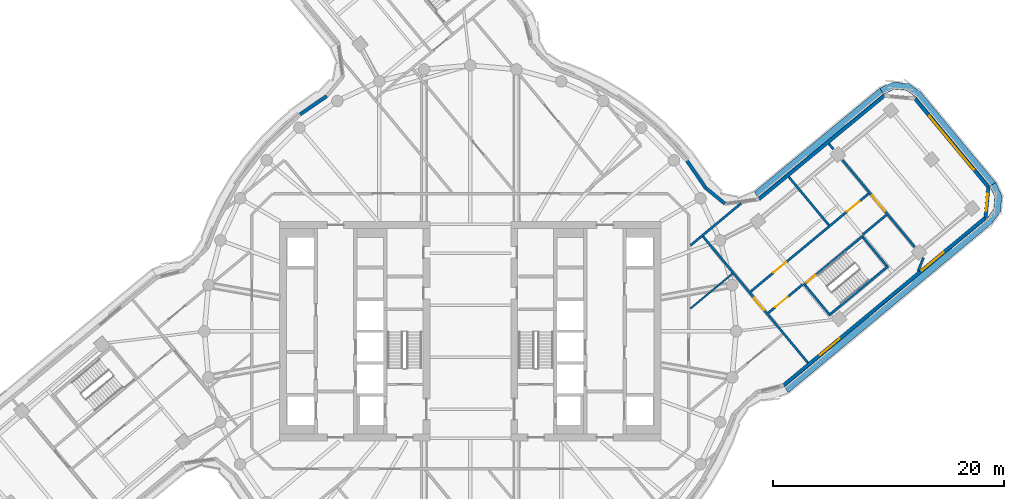
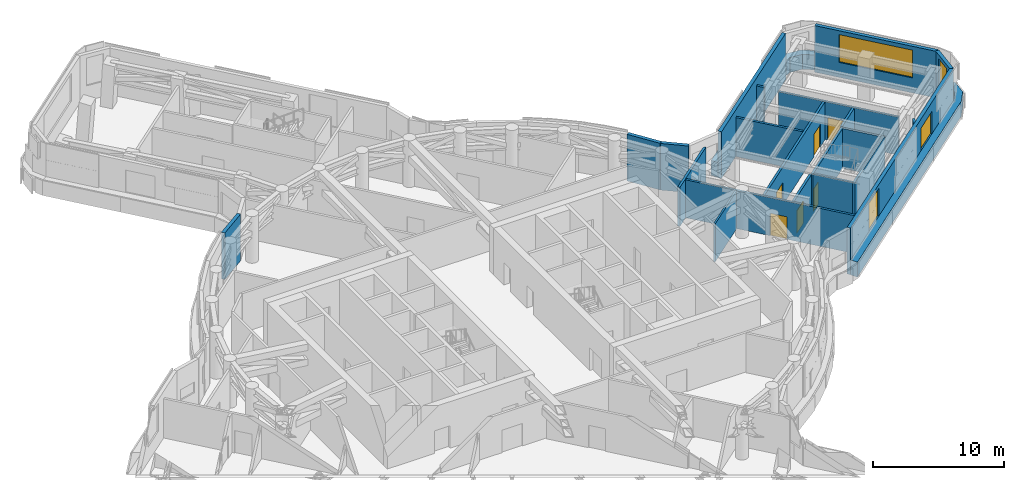
# One storey, part 12 of 22: 21 walls, 6 doors, 4 windows, 3 members, 10 openings.
"""IFC4 building model written with IfcOpenShell, lengths in metres."""

from ifc_helpers import new_model, si_unit, direction, frame, frame_2d, origin, place, context, subcontext, project, spatial, polyline, rectangle, outline, extrude, material, layer, layer_set, type_object, element, fill, aggregate, save


model = new_model("IFC4")

# Units and contexts
model_context = context("Model", 3, precision=1e-05, world=origin(), true_north=direction((0.0, 1.0)))
body_context = subcontext(model_context, "Body", "Model", "MODEL_VIEW")
ifc_project = project(units=[si_unit("LENGTHUNIT", "METRE"), si_unit("AREAUNIT", "SQUARE_METRE"), si_unit("VOLUMEUNIT", "CUBIC_METRE"), si_unit("PLANEANGLEUNIT", "RADIAN"), si_unit("MASSUNIT", "GRAM", prefix="KILO")], contexts=[model_context])

# Member
ifc_material_1 = material(Name="Aluminium and insulated spandrel panel", Category="aluminium")
member_type = type_object("IfcMemberType", Name="Floor-edge blade transom", PredefinedType="USERDEFINED", material=ifc_material_1)
site_placement = place(None, origin())
building_placement = place(site_placement, origin())
storey_placement = place(building_placement, frame((0.0, 0.0, 178.0)))
member_1_placement = place(storey_placement, origin())
member_1 = element("IfcMember", 1, at=member_1_placement, type_object=member_type, Name="CWT-L44-07", ObjectType="TRANSOM", PredefinedType="USERDEFINED", context=body_context, shape_type="SweptSolid", body=[
    extrude(outline(polyline([(27.18896484375, -4.7900390625), (44.683349609375, 9.7353515625), (45.281494140625, 10.580322265625), (45.377197265625, 11.611083984375), (44.9443359375, 12.5517578125), (45.45654296875, 12.874267578125), (45.989501953125, 11.7158203125), (45.864013671875, 10.36474609375), (45.12744140625, 9.32421875), (27.494140625, -5.316650390625), (27.18896484375, -4.7900390625)])), origin(), (0.0, 0.0, 1.0), 1.39990234375),
])

member_2_placement = place(storey_placement, origin())
member_2 = element("IfcMember", 2, at=member_2_placement, type_object=member_type, Name="CWT-L44-08", ObjectType="TRANSOM", PredefinedType="USERDEFINED", context=body_context, shape_type="SweptSolid", body=[
    extrude(outline(polyline([(44.9443359375, 12.5517578125), (38.556396484375, 20.245361328125), (37.71142578125, 20.843505859375), (36.6806640625, 20.939208984375), (35.739990234375, 20.506591796875), (35.41845703125, 21.01904296875), (36.575927734375, 21.551513671875), (37.927001953125, 21.42626953125), (38.967529296875, 20.689453125), (45.45654296875, 12.874267578125), (44.9443359375, 12.5517578125)])), origin(), (0.0, 0.0, 1.0), 1.39990234375),
])

member_3_placement = place(storey_placement, origin())
member_3 = element("IfcMember", 3, at=member_3_placement, type_object=member_type, Name="CWT-L44-09", ObjectType="TRANSOM", PredefinedType="USERDEFINED", context=body_context, shape_type="SweptSolid", body=[
    extrude(outline(polyline([(35.739990234375, 20.506591796875), (24.895263671875, 11.555419921875), (24.57958984375, 12.072998046875), (35.41845703125, 21.01904296875), (35.739990234375, 20.506591796875)])), origin(), (0.0, 0.0, 1.0), 1.39990234375),
])

# Site, building, storey
site = spatial("IfcSite", under=ifc_project, at=site_placement, CompositionType="ELEMENT")
building = spatial("IfcBuilding", under=site, at=building_placement, Name="Tamarind Cross Interchange Tower", CompositionType="ELEMENT")
storey = spatial("IfcBuildingStorey", under=building, at=storey_placement, Name="L44", CompositionType="ELEMENT", Elevation=178.0)

# Wall
ifc_material_2 = material(Name="Gypsum board partition on steel studs", Category="steel")
ifc_layer_1 = layer(ifc_material_2, 0.14990234375)
ifc_layer_set_1 = layer_set([ifc_layer_1], Name="Gypsum board partition on steel studs")
wall_type_1 = type_object("IfcWallType", Name="Partition 150 mm EI 120", PredefinedType="PARTITIONING", material=ifc_layer_set_1)
wall_1_placement = place(storey_placement, frame((19.03076171875, 1.95361328125, 0.0), z_axis=(0.0, 0.0, 1.0), x_axis=(0.769415619975, 0.63874846672, 0.0)))
element("IfcWall", 4, at=wall_1_placement, inside=storey, type_object=wall_type_1, Name="Partition L44-063", PredefinedType="PARTITIONING", context=body_context, shape_type="SweptSolid", body=[
    extrude(rectangle(XDim=4.736328125, YDim=0.14990234375, at=frame_2d((2.3681640625, 0.0))), origin(), (0.0, 0.0, 1.0), 3.550048828125),
])

# Wall, opening, door
ifc_layer_2 = layer(ifc_material_2, 0.199951171875)
ifc_layer_set_2 = layer_set([ifc_layer_2], Name="Gypsum board partition on steel studs")
wall_type_2 = type_object("IfcWallType", Name="Partition 200 mm EI 180", PredefinedType="PARTITIONING", material=ifc_layer_set_2)
wall_2_placement = place(storey_placement, frame((20.13232421875, 8.197509765625, 0.0), z_axis=(0.0, 0.0, 1.0), x_axis=(0.63886599142, -0.76931803892, 0.0)))
wall_2 = element("IfcWall", 5, at=wall_2_placement, inside=storey, type_object=wall_type_2, Name="Partition L44-027", PredefinedType="PARTITIONING", context=body_context, shape_type="SweptSolid", body=[
    extrude(rectangle(XDim=14.198974609375, YDim=0.199951171875, at=frame_2d((7.099609375, 0.0))), origin(), (0.0, 0.0, 1.0), 3.550048828125),
])
opening_1_placement = place(wall_2_placement, frame((6.89990234375, 0.0, 0.0)))
opening_1 = element("IfcOpeningElement", 6, at=opening_1_placement, cuts=wall_2, Name="Opening D15", PredefinedType="OPENING", context=body_context, shape_type="SweptSolid", body=[
    extrude(rectangle(XDim=1.39990234375, YDim=2.10009765625, at=frame_2d((0.699951171875, 1.050048828125))), frame((0.0, 0.10986328125, 0.0), z_axis=(0.0, -1.0, 0.0), x_axis=(1.0, 0.0, 0.0)), (0.0, 0.0, 1.0), 0.219970703125),
])
ifc_material_3 = material(Name="Fire-resisting door set")
door_type_1 = type_object("IfcDoorType", Name="Interior door 1400 x 2100 FD120S", OperationType="DOUBLE_DOOR_SINGLE_SWING", PredefinedType="DOOR", material=ifc_material_3)
door_1_placement = place(opening_1_placement, frame((1.39990234375, 0.0, 0.0), z_axis=(0.0, 0.0, 1.0), x_axis=(-1.0, 0.0, 0.0)))
door_1 = element("IfcDoor", 7, at=door_1_placement, inside=storey, type_object=door_type_1, Name="Door D15", OperationType="DOUBLE_DOOR_SINGLE_SWING", OverallHeight=2.10009765625, OverallWidth=1.39990234375, PredefinedType="DOOR", context=body_context, shape_type="SweptSolid", body=[
    extrude(rectangle(XDim=1.39990234375, YDim=2.10009765625, at=frame_2d((0.699951171875, 1.050048828125))), frame((0.0, 0.02490234375, 0.0), z_axis=(0.0, -1.0, 0.0), x_axis=(1.0, 0.0, 0.0)), (0.0, 0.0, 1.0), 0.050048828125),
])
fill(opening_1, door_1)

# Walls
wall_3_placement = place(storey_placement, frame((27.548583984375, 13.355224609375, 0.0), z_axis=(0.0, 0.0, 1.0), x_axis=(0.638732777431, -0.769428644538, 0.0)))
element("IfcWall", 8, at=wall_3_placement, inside=storey, type_object=wall_type_2, Name="Partition L44-028", PredefinedType="PARTITIONING", context=body_context, shape_type="SweptSolid", body=[
    extrude(rectangle(XDim=5.43017578125, YDim=0.199951171875, at=frame_2d((2.715087890625, 0.0))), origin(), (0.0, 0.0, 1.0), 3.64990234375),
])
wall_4_placement = place(storey_placement, frame((31.0185546875, 16.21923828125, 0.0), z_axis=(0.0, 0.0, 1.0), x_axis=(0.638955780134, -0.769243466682, 0.0)))
element("IfcWall", 9, at=wall_4_placement, inside=storey, type_object=wall_type_2, Name="Partition L44-029", PredefinedType="PARTITIONING", context=body_context, shape_type="SweptSolid", body=[
    extrude(rectangle(XDim=0.6259765625, YDim=0.199951171875, at=frame_2d((0.31298828125, 0.0))), origin(), (0.0, 0.0, 1.0), 3.659912109375),
])

# Wall, opening, door
wall_5_placement = place(storey_placement, frame((32.174560546875, 14.827392578125, 0.0), z_axis=(0.0, 0.0, 1.0), x_axis=(0.638855099659, -0.769327083651, 0.0)))
wall_5 = element("IfcWall", 10, at=wall_5_placement, inside=storey, type_object=wall_type_2, Name="Partition L44-030", PredefinedType="PARTITIONING", context=body_context, shape_type="SweptSolid", body=[
    extrude(rectangle(XDim=9.81640625, YDim=0.199951171875, at=frame_2d((4.908203125, 0.0))), origin(), (0.0, 0.0, 1.0), 3.550048828125),
])
opening_2_placement = place(wall_5_placement, frame((4.0087890625, 0.0, 0.0)))
opening_2 = element("IfcOpeningElement", 11, at=opening_2_placement, cuts=wall_5, Name="Opening D16", PredefinedType="OPENING", context=body_context, shape_type="SweptSolid", body=[
    extrude(rectangle(XDim=1.800048828125, YDim=2.10009765625, at=frame_2d((0.89990234375, 1.050048828125))), frame((0.0, 0.10986328125, 0.0), z_axis=(0.0, -1.0, 0.0), x_axis=(1.0, 0.0, 0.0)), (0.0, 0.0, 1.0), 0.219970703125),
])
door_type_2 = type_object("IfcDoorType", Name="Interior door 1800 x 2100 FD120S", OperationType="DOUBLE_DOOR_SINGLE_SWING", PredefinedType="DOOR", material=ifc_material_3)
door_2_placement = place(opening_2_placement, origin())
door_2 = element("IfcDoor", 12, at=door_2_placement, inside=storey, type_object=door_type_2, Name="Door D16", OperationType="DOUBLE_DOOR_SINGLE_SWING", OverallHeight=2.10009765625, OverallWidth=1.800048828125, PredefinedType="DOOR", context=body_context, shape_type="SweptSolid", body=[
    extrude(rectangle(XDim=1.800048828125, YDim=2.10009765625, at=frame_2d((0.89990234375, 1.050048828125))), frame((0.0, 0.02490234375, 0.0), z_axis=(0.0, -1.0, 0.0), x_axis=(1.0, 0.0, 0.0)), (0.0, 0.0, 1.0), 0.050048828125),
])
fill(opening_2, door_2)

# Walls
wall_6_placement = place(storey_placement, frame((39.201904296875, 6.364990234375, 0.0), z_axis=(0.0, 0.0, 1.0), x_axis=(-0.372742207649, -0.92793493664, 0.0)))
element("IfcWall", 13, at=wall_6_placement, inside=storey, type_object=wall_type_2, Name="Partition L44-031", PredefinedType="PARTITIONING", context=body_context, shape_type="SweptSolid", body=[
    extrude(rectangle(XDim=1.276611328125, YDim=0.199951171875, at=frame_2d((0.63818359375, 0.0))), origin(), (0.0, 0.0, 1.0), 3.659912109375),
])
wall_7_placement = place(storey_placement, frame((19.0458984375, 7.425537109375, 0.0), z_axis=(0.0, 0.0, 1.0), x_axis=(0.769405124165, 0.63876110942, 0.0)))
element("IfcWall", 14, at=wall_7_placement, inside=storey, type_object=wall_type_2, Name="Partition L44-064", PredefinedType="PARTITIONING", context=body_context, shape_type="SweptSolid", body=[
    extrude(rectangle(XDim=5.707275390625, YDim=0.199951171875, at=frame_2d((2.853515625, 0.0))), origin(), (0.0, 0.0, 1.0), 3.659912109375),
])

# Wall, openings, doors
wall_8_placement = place(storey_placement, frame((24.249267578125, 3.427490234375, 0.0), z_axis=(0.0, 0.0, 1.0), x_axis=(0.769410395732, 0.638754759622, 0.0)))
wall_8 = element("IfcWall", 15, at=wall_8_placement, inside=storey, type_object=wall_type_2, Name="Partition L44-065", PredefinedType="PARTITIONING", context=body_context, shape_type="SweptSolid", body=[
    extrude(rectangle(XDim=13.280029296875, YDim=0.199951171875, at=frame_2d((6.64013671875, 0.0))), origin(), (0.0, 0.0, 1.0), 3.550048828125),
])
opening_3_placement = place(wall_8_placement, frame((2.580078125, 0.0, 0.0)))
opening_3 = element("IfcOpeningElement", 16, at=opening_3_placement, cuts=wall_8, Name="Opening D31", PredefinedType="OPENING", context=body_context, shape_type="SweptSolid", body=[
    extrude(rectangle(XDim=1.39990234375, YDim=2.10009765625, at=frame_2d((0.699951171875, 1.050048828125))), frame((0.0, 0.10986328125, 0.0), z_axis=(0.0, -1.0, 0.0), x_axis=(1.0, 0.0, 0.0)), (0.0, 0.0, 1.0), 0.219970703125),
])
opening_4_placement = place(wall_8_placement, frame((10.82958984375, 0.0, 0.0)))
opening_4 = element("IfcOpeningElement", 17, at=opening_4_placement, cuts=wall_8, Name="Opening D32", PredefinedType="OPENING", context=body_context, shape_type="SweptSolid", body=[
    extrude(rectangle(XDim=1.39990234375, YDim=2.10009765625, at=frame_2d((0.699951171875, 1.050048828125))), frame((0.0, 0.10986328125, 0.0), z_axis=(0.0, -1.0, 0.0), x_axis=(1.0, 0.0, 0.0)), (0.0, 0.0, 1.0), 0.219970703125),
])
door_3_placement = place(opening_3_placement, origin())
door_3 = element("IfcDoor", 18, at=door_3_placement, inside=storey, type_object=door_type_1, Name="Door D31", OperationType="DOUBLE_DOOR_SINGLE_SWING", OverallHeight=2.10009765625, OverallWidth=1.39990234375, PredefinedType="DOOR", context=body_context, shape_type="SweptSolid", body=[
    extrude(rectangle(XDim=1.39990234375, YDim=2.10009765625, at=frame_2d((0.699951171875, 1.050048828125))), frame((0.0, 0.02490234375, 0.0), z_axis=(0.0, -1.0, 0.0), x_axis=(1.0, 0.0, 0.0)), (0.0, 0.0, 1.0), 0.050048828125),
])
fill(opening_3, door_3)
door_4_placement = place(opening_4_placement, origin())
door_4 = element("IfcDoor", 19, at=door_4_placement, inside=storey, type_object=door_type_1, Name="Door D32", OperationType="DOUBLE_DOOR_SINGLE_SWING", OverallHeight=2.10009765625, OverallWidth=1.39990234375, PredefinedType="DOOR", context=body_context, shape_type="SweptSolid", body=[
    extrude(rectangle(XDim=1.39990234375, YDim=2.10009765625, at=frame_2d((0.699951171875, 1.050048828125))), frame((0.0, 0.02490234375, 0.0), z_axis=(0.0, -1.0, 0.0), x_axis=(1.0, 0.0, 0.0)), (0.0, 0.0, 1.0), 0.050048828125),
])
fill(opening_4, door_4)

# Wall, opening, door
wall_9_placement = place(storey_placement, frame((25.7822265625, 1.580810546875, 0.0), z_axis=(0.0, 0.0, 1.0), x_axis=(0.769418728977, 0.6387447217, 0.0)))
wall_9 = element("IfcWall", 20, at=wall_9_placement, inside=storey, type_object=wall_type_2, Name="Partition L44-066", PredefinedType="PARTITIONING", context=body_context, shape_type="SweptSolid", body=[
    extrude(rectangle(XDim=3.83935546875, YDim=0.199951171875, at=frame_2d((1.919677734375, 0.0))), origin(), (0.0, 0.0, 1.0), 3.550048828125),
])
opening_5_placement = place(wall_9_placement, frame((0.780029296875, 0.0, 0.0)))
opening_5 = element("IfcOpeningElement", 21, at=opening_5_placement, cuts=wall_9, Name="Opening D33", PredefinedType="OPENING", context=body_context, shape_type="SweptSolid", body=[
    extrude(rectangle(XDim=1.39990234375, YDim=2.10009765625, at=frame_2d((0.699951171875, 1.050048828125))), frame((0.0, 0.10986328125, 0.0), z_axis=(0.0, -1.0, 0.0), x_axis=(1.0, 0.0, 0.0)), (0.0, 0.0, 1.0), 0.219970703125),
])
door_5_placement = place(opening_5_placement, frame((1.39990234375, 0.0, 0.0), z_axis=(0.0, 0.0, 1.0), x_axis=(-1.0, 0.0, 0.0)))
door_5 = element("IfcDoor", 22, at=door_5_placement, inside=storey, type_object=door_type_1, Name="Door D33", OperationType="DOUBLE_DOOR_SINGLE_SWING", OverallHeight=2.10009765625, OverallWidth=1.39990234375, PredefinedType="DOOR", context=body_context, shape_type="SweptSolid", body=[
    extrude(rectangle(XDim=1.39990234375, YDim=2.10009765625, at=frame_2d((0.699951171875, 1.050048828125))), frame((0.0, 0.02490234375, 0.0), z_axis=(0.0, -1.0, 0.0), x_axis=(1.0, 0.0, 0.0)), (0.0, 0.0, 1.0), 0.050048828125),
])
fill(opening_5, door_5)

# Wall
wall_10_placement = place(storey_placement, frame((33.953369140625, 8.364501953125, 0.0), z_axis=(0.0, 0.0, 1.0), x_axis=(0.76940988431, 0.638755375653, 0.0)))
element("IfcWall", 23, at=wall_10_placement, inside=storey, type_object=wall_type_2, Name="Partition L44-067", PredefinedType="PARTITIONING", context=body_context, shape_type="SweptSolid", body=[
    extrude(rectangle(XDim=2.640380859375, YDim=0.199951171875, at=frame_2d((1.3203125, 0.0))), origin(), (0.0, 0.0, 1.0), 3.550048828125),
])

# Wall, openings, windows
ifc_material_4 = material(Name="Precast concrete C40", Category="concrete")
ifc_layer_3 = layer(ifc_material_4, 0.300048828125)
ifc_layer_set_3 = layer_set([ifc_layer_3], Name="Precast concrete C40")
wall_type_3 = type_object("IfcWallType", Name="Plant louvre wall", PredefinedType="SOLIDWALL", material=ifc_layer_set_3)
wall_11_placement = place(storey_placement, frame((27.112548828125, -4.658447265625, 0.0), z_axis=(0.0, 0.0, 1.0), x_axis=(0.769372572794, 0.6388003164, 0.0)))
wall_11 = element("IfcWall", 24, at=wall_11_placement, inside=storey, type_object=wall_type_3, Name="EXW-L44-07-00", PredefinedType="SOLIDWALL", context=body_context, shape_type="SweptSolid", body=[
    extrude(rectangle(XDim=22.693359375, YDim=0.300048828125, at=frame_2d((11.3466796875, 0.0))), origin(), (0.0, 0.0, 1.0), 4.360107421875),
])
opening_6_placement = place(wall_11_placement, frame((4.09326171875, 0.0, 1.39990234375)))
opening_6 = element("IfcOpeningElement", 25, at=opening_6_placement, cuts=wall_11, Name="Opening W2", PredefinedType="OPENING", context=body_context, shape_type="SweptSolid", body=[
    extrude(rectangle(XDim=2.19921875, YDim=2.60009765625, at=frame_2d((1.099609375, 1.300048828125))), frame((0.0, 0.159912109375, 0.0), z_axis=(0.0, -1.0, 0.0), x_axis=(1.0, 0.0, 0.0)), (0.0, 0.0, 1.0), 0.320068359375),
])
opening_7_placement = place(wall_11_placement, frame((15.550048828125, 0.0, 1.39990234375)))
opening_7 = element("IfcOpeningElement", 26, at=opening_7_placement, cuts=wall_11, Name="Opening W3", PredefinedType="OPENING", context=body_context, shape_type="SweptSolid", body=[
    extrude(rectangle(XDim=2.39990234375, YDim=2.10009765625, at=frame_2d((1.199951171875, 1.050048828125))), frame((0.0, 0.159912109375, 0.0), z_axis=(0.0, -1.0, 0.0), x_axis=(1.0, 0.0, 0.0)), (0.0, 0.0, 1.0), 0.320068359375),
])
ifc_material_5 = material(Name="Aluminium louvre", Category="aluminium")
window_type_1 = type_object("IfcWindowType", Name="Plant louvre bank", PartitioningType="SINGLE_PANEL", PredefinedType="WINDOW", material=ifc_material_5)
window_1_placement = place(opening_6_placement, origin())
window_1 = element("IfcWindow", 27, at=window_1_placement, inside=storey, type_object=window_type_1, Name="WIN-L44-07-00", OverallHeight=2.60009765625, OverallWidth=2.19921875, PartitioningType="SINGLE_PANEL", PredefinedType="WINDOW", context=body_context, shape_type="SweptSolid", body=[
    extrude(rectangle(XDim=2.19921875, YDim=2.60009765625, at=frame_2d((1.099609375, 1.300048828125))), frame((0.0, 0.030029296875, 0.0), z_axis=(0.0, -1.0, 0.0), x_axis=(1.0, 0.0, 0.0)), (0.0, 0.0, 1.0), 0.06005859375),
])
fill(opening_6, window_1)
ifc_material_6 = material(Name="Aluminium and fire-resisting glass", Category="aluminium")
window_type_2 = type_object("IfcWindowType", Name="Refuge rescue window", PartitioningType="DOUBLE_PANEL_VERTICAL", PredefinedType="WINDOW", material=ifc_material_6)
window_2_placement = place(opening_7_placement, origin())
window_2 = element("IfcWindow", 28, at=window_2_placement, inside=storey, type_object=window_type_2, Name="RSW-L44-07-00", OverallHeight=2.10009765625, OverallWidth=2.39990234375, PartitioningType="SINGLE_PANEL", PredefinedType="WINDOW", context=body_context, shape_type="SweptSolid", body=[
    extrude(rectangle(XDim=2.39990234375, YDim=2.10009765625, at=frame_2d((1.199951171875, 1.050048828125))), frame((0.0, 0.030029296875, 0.0), z_axis=(0.0, -1.0, 0.0), x_axis=(1.0, 0.0, 0.0)), (0.0, 0.0, 1.0), 0.06005859375),
])
fill(opening_7, window_2)

aggregate(wall_11, [member_1])

# Wall, opening, window
wall_12_placement = place(storey_placement, frame((44.572265625, 9.838134765625, 0.0), z_axis=(0.0, 0.0, 1.0), x_axis=(0.092333837784, 0.995728106664, 0.0)))
wall_12 = element("IfcWall", 29, at=wall_12_placement, inside=storey, type_object=wall_type_3, Name="EXW-L44-07-01", PredefinedType="SOLIDWALL", context=body_context, shape_type="SweptSolid", body=[
    extrude(rectangle(XDim=2.64404296875, YDim=0.300048828125, at=frame_2d((1.322021484375, 0.0))), origin(), (0.0, 0.0, 1.0), 4.360107421875),
])
opening_8_placement = place(wall_12_placement, frame((0.60009765625, 0.0, 1.39990234375)))
opening_8 = element("IfcOpeningElement", 30, at=opening_8_placement, cuts=wall_12, Name="Opening W2", PredefinedType="OPENING", context=body_context, shape_type="SweptSolid", body=[
    extrude(rectangle(XDim=1.4443359375, YDim=2.60009765625, at=frame_2d((0.72216796875, 1.300048828125))), frame((0.0, 0.159912109375, 0.0), z_axis=(0.0, -1.0, 0.0), x_axis=(1.0, 0.0, 0.0)), (0.0, 0.0, 1.0), 0.320068359375),
])
window_3_placement = place(opening_8_placement, origin())
window_3 = element("IfcWindow", 31, at=window_3_placement, inside=storey, type_object=window_type_1, Name="WIN-L44-07-01", OverallHeight=2.60009765625, OverallWidth=1.4443359375, PartitioningType="SINGLE_PANEL", PredefinedType="WINDOW", context=body_context, shape_type="SweptSolid", body=[
    extrude(rectangle(XDim=1.4443359375, YDim=2.60009765625, at=frame_2d((0.72216796875, 1.300048828125))), frame((0.0, 0.030029296875, 0.0), z_axis=(0.0, -1.0, 0.0), x_axis=(1.0, 0.0, 0.0)), (0.0, 0.0, 1.0), 0.06005859375),
])
fill(opening_8, window_3)

wall_13_placement = place(storey_placement, frame((44.81640625, 12.470947265625, 0.0), z_axis=(0.0, 0.0, 1.0), x_axis=(-0.638801916699, 0.769371244083, 0.0)))
wall_13 = element("IfcWall", 32, at=wall_13_placement, inside=storey, type_object=wall_type_3, Name="EXW-L44-08-00", PredefinedType="SOLIDWALL", context=body_context, shape_type="SweptSolid", body=[
    extrude(rectangle(XDim=9.96044921875, YDim=0.300048828125, at=frame_2d((4.980224609375, 0.0))), origin(), (0.0, 0.0, 1.0), 4.360107421875),
])
opening_9_placement = place(wall_13_placement, frame((1.980224609375, 0.0, 1.39990234375)))
opening_9 = element("IfcOpeningElement", 33, at=opening_9_placement, cuts=wall_13, Name="Opening W2", PredefinedType="OPENING", context=body_context, shape_type="SweptSolid", body=[
    extrude(rectangle(XDim=6.0, YDim=2.60009765625, at=frame_2d((3.0, 1.300048828125))), frame((0.0, 0.159912109375, 0.0), z_axis=(0.0, -1.0, 0.0), x_axis=(1.0, 0.0, 0.0)), (0.0, 0.0, 1.0), 0.320068359375),
])
window_4_placement = place(opening_9_placement, origin())
window_4 = element("IfcWindow", 34, at=window_4_placement, inside=storey, type_object=window_type_1, Name="WIN-L44-08-00", OverallHeight=2.60009765625, OverallWidth=6.0, PartitioningType="SINGLE_PANEL", PredefinedType="WINDOW", context=body_context, shape_type="SweptSolid", body=[
    extrude(rectangle(XDim=6.0, YDim=2.60009765625, at=frame_2d((3.0, 1.300048828125))), frame((0.0, 0.030029296875, 0.0), z_axis=(0.0, -1.0, 0.0), x_axis=(1.0, 0.0, 0.0)), (0.0, 0.0, 1.0), 0.06005859375),
])
fill(opening_9, window_4)

aggregate(wall_13, [member_2])

# Wall
wall_14_placement = place(storey_placement, frame((35.820556640625, 20.37841796875, 0.0), z_axis=(0.0, 0.0, 1.0), x_axis=(-0.771230735656, -0.63655569464, 0.0)))
wall_14 = element("IfcWall", 35, at=wall_14_placement, inside=storey, type_object=wall_type_3, Name="EXW-L44-09-00", PredefinedType="SOLIDWALL", context=body_context, shape_type="SweptSolid", body=[
    extrude(rectangle(XDim=14.063720703125, YDim=0.300048828125, at=frame_2d((7.03173828125, 0.0))), origin(), (0.0, 0.0, 1.0), 4.360107421875),
])

aggregate(wall_14, [member_3])

# Walls
wall_15_placement = place(storey_placement, frame((22.023681640625, 11.0361328125, 0.0), z_axis=(0.0, 0.0, 1.0), x_axis=(-0.773396617802, 0.633922449178, 0.0)))
element("IfcWall", 36, at=wall_15_placement, inside=storey, type_object=wall_type_3, Name="EXW-L44-10-01", PredefinedType="SOLIDWALL", context=body_context, shape_type="SweptSolid", body=[
    extrude(rectangle(XDim=2.174072265625, YDim=0.300048828125, at=frame_2d((1.0869140625, 0.0))), origin(), (0.0, 0.0, 1.0), 4.360107421875),
])
for number, where, z_axis, x_axis, name in (
    (37, (20.34228515625, 12.414306640625, 0.0), (0.0, 0.0, 1.0), (-0.56597472468, 0.824422592499, 0.0), "EXW-L44-10-02"),
    (38, (-12.414306640625, 20.34228515625, 0.0), (0.0, 0.0, 1.0), (-0.824422592499, -0.56597472468, 0.0), "EXW-L44-14-02"),
):
    element("IfcWall", number, at=place(storey_placement, frame(where, z_axis=z_axis, x_axis=x_axis)), inside=storey, type_object=wall_type_3, Name=name, PredefinedType="SOLIDWALL", context=body_context, shape_type="SweptSolid", body=[
        extrude(rectangle(XDim=2.8056640625, YDim=0.300048828125, at=frame_2d((1.40283203125, 0.0))), origin(), (0.0, 0.0, 1.0), 4.360107421875),
    ])

# Wall, opening, door
ifc_material_7 = material(Name="Concrete C40", Category="concrete")
ifc_layer_4 = layer(ifc_material_7, 0.199951171875)
ifc_layer_set_4 = layer_set([ifc_layer_4], Name="Concrete C40")
wall_type_4 = type_object("IfcWallType", Name="Stair shaft wall 200 mm Concrete C40", PredefinedType="SHEAR", material=ifc_layer_set_4)
wall_16_placement = place(storey_placement, frame((28.83154296875, 3.982421875, -0.179931640625), z_axis=(0.0, 0.0, 1.0), x_axis=(0.769366970134, 0.638807064196, 0.0)))
wall_16 = element("IfcWall", 39, at=wall_16_placement, inside=storey, type_object=wall_type_4, Name="Core wall CWL-L44-ST3-H", PredefinedType="SHEAR", context=body_context, shape_type="SweptSolid", body=[
    extrude(rectangle(XDim=6.699951171875, YDim=0.199951171875, at=frame_2d((3.35009765625, 0.0))), origin(), (0.0, 0.0, 1.0), 3.72998046875),
])
opening_10_placement = place(wall_16_placement, frame((0.35009765625, 0.0, 0.0)))
opening_10 = element("IfcOpeningElement", 40, at=opening_10_placement, cuts=wall_16, Name="Opening ST3L44", PredefinedType="OPENING", context=body_context, shape_type="SweptSolid", body=[
    extrude(rectangle(XDim=1.0, YDim=2.10009765625, at=frame_2d((0.5, 1.050048828125))), frame((0.0, 0.10986328125, 0.0), z_axis=(0.0, -1.0, 0.0), x_axis=(1.0, 0.0, 0.0)), (0.0, 0.0, 1.0), 0.219970703125),
])
ifc_material_8 = material(Name="Steel, fire-resisting", Category="steel")
door_type_3 = type_object("IfcDoorType", Name="Core fire door 1000 x 2100 FD90", OperationType="SINGLE_SWING_LEFT", PredefinedType="DOOR", material=ifc_material_8)
door_6_placement = place(opening_10_placement, origin())
door_6 = element("IfcDoor", 41, at=door_6_placement, inside=storey, type_object=door_type_3, Name="L44 stair door ST3", OperationType="SINGLE_SWING_LEFT", OverallHeight=2.10009765625, OverallWidth=1.0, PredefinedType="DOOR", context=body_context, shape_type="SweptSolid", body=[
    extrude(rectangle(XDim=1.0, YDim=2.10009765625, at=frame_2d((0.5, 1.050048828125))), frame((0.0, 0.02490234375, 0.0), z_axis=(0.0, -1.0, 0.0), x_axis=(1.0, 0.0, 0.0)), (0.0, 0.0, 1.0), 0.050048828125),
])
fill(opening_10, door_6)

# Walls
wall_17_placement = place(storey_placement, frame((31.00341796875, 1.36669921875, -0.179931640625), z_axis=(0.0, 0.0, 1.0), x_axis=(0.76938487904, 0.638785494438, 0.0)))
element("IfcWall", 42, at=wall_17_placement, inside=storey, type_object=wall_type_4, Name="Core wall CWL-L44-ST3-C", PredefinedType="SHEAR", context=body_context, shape_type="SweptSolid", body=[
    extrude(rectangle(XDim=6.699951171875, YDim=0.199951171875, at=frame_2d((3.35009765625, 0.0))), origin(), (0.0, 0.0, 1.0), 3.72998046875),
])
wall_18_placement = place(storey_placement, frame((31.0166015625, 1.50732421875, -0.179931640625), z_axis=(0.0, 0.0, 1.0), x_axis=(-0.638780087326, 0.769389368289, 0.0)))
element("IfcWall", 43, at=wall_18_placement, inside=storey, type_object=wall_type_4, Name="Core wall CWL-L44-ST3-CE", PredefinedType="SHEAR", context=body_context, shape_type="SweptSolid", body=[
    extrude(rectangle(XDim=3.2001953125, YDim=0.199951171875, at=frame_2d((1.60009765625, 0.0))), origin(), (0.0, 0.0, 1.0), 3.72998046875),
])
wall_19_placement = place(storey_placement, frame((0.0, 0.0, -0.179931640625)))
element("IfcWall", 44, at=wall_19_placement, inside=storey, type_object=wall_type_4, Name="Core wall CWL-L44-ST3-CF", PredefinedType="SHEAR", context=body_context, shape_type="SweptSolid", body=[
    extrude(outline(polyline([(35.9404296875, 5.595703125), (36.094482421875, 5.723388671875), (34.05029296875, 8.185546875), (33.896484375, 8.0576171875), (35.9404296875, 5.595703125)])), origin(), (0.0, 0.0, 1.0), 3.72998046875),
])

save(model, "model.ifc")
